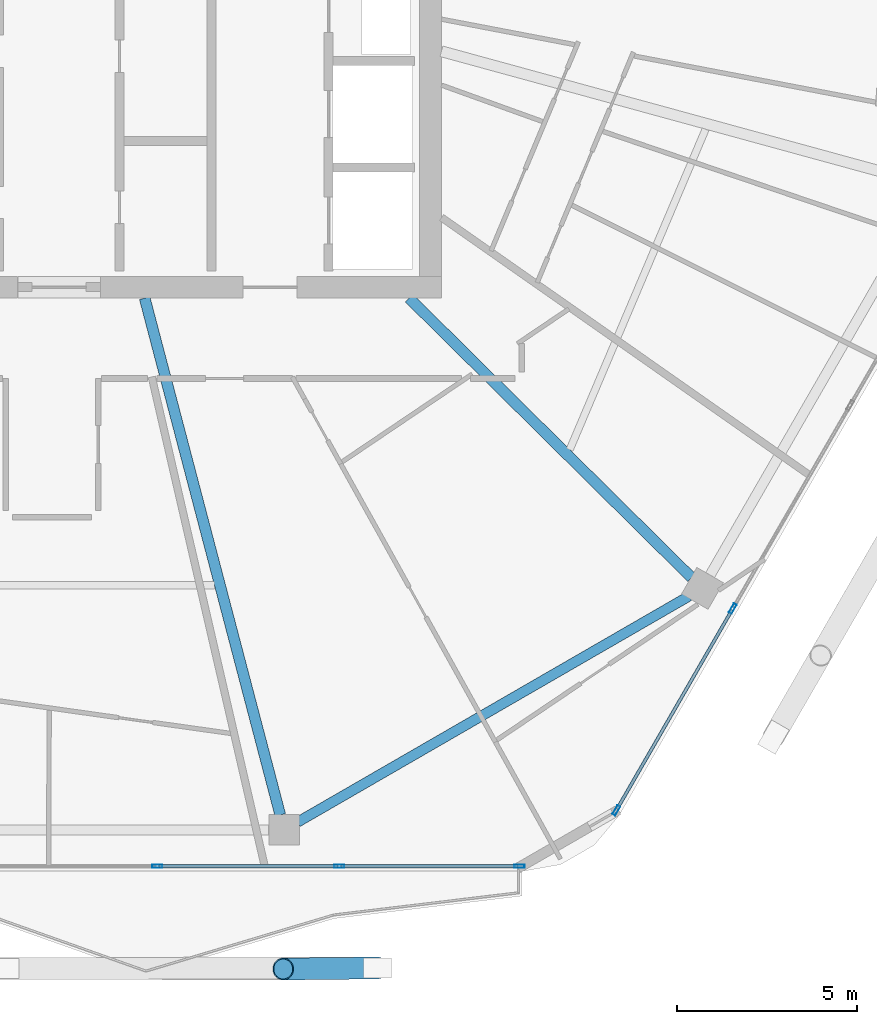
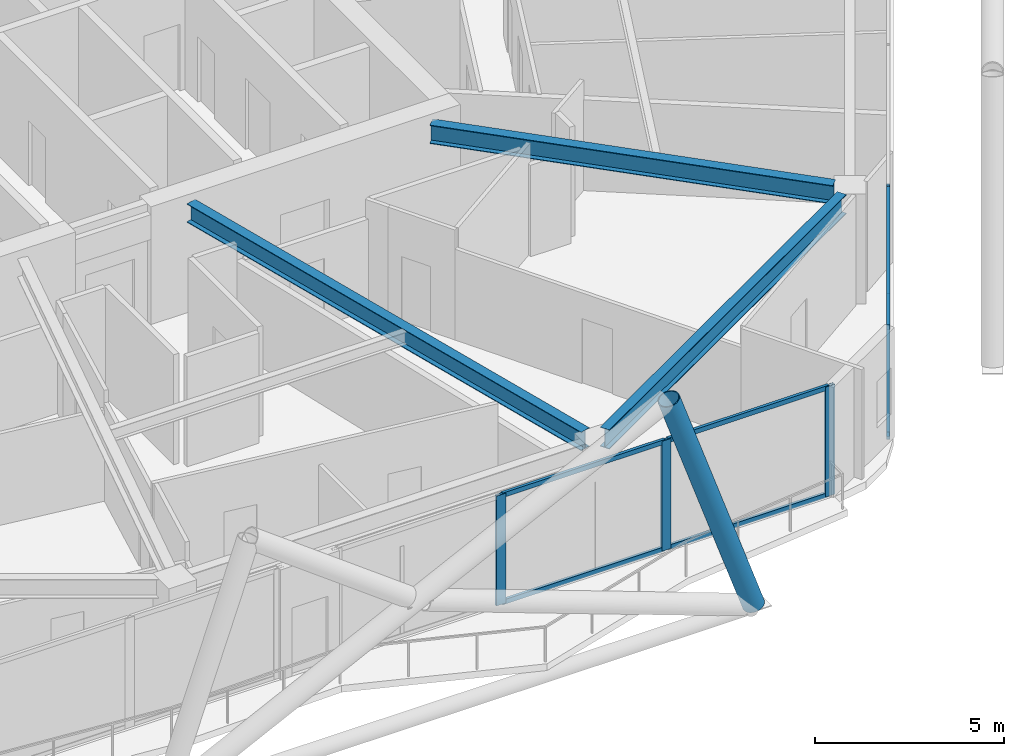
# One storey, part 8 of 27: 12 members, 3 beams, 2 elements without a shape of their own.
"""IFC4 building model written with IfcOpenShell, lengths in metres."""

from ifc_helpers import new_model, si_unit, direction, frame, origin, origin_2d, place, context, subcontext, project, spatial, hollow_rectangle, hollow_circle, i_section, extrude, material, material_profile, profile_set, type_object, element, aggregate, save


model = new_model("IFC4")

# Units and contexts
model_context = context("Model", 3, precision=1e-05, world=origin(), true_north=direction((0.0, 1.0)))
body_context = subcontext(model_context, "Body", "Model", "MODEL_VIEW")
ifc_project = project(units=[si_unit("LENGTHUNIT", "METRE"), si_unit("AREAUNIT", "SQUARE_METRE"), si_unit("VOLUMEUNIT", "CUBIC_METRE"), si_unit("PLANEANGLEUNIT", "RADIAN"), si_unit("MASSUNIT", "GRAM", prefix="KILO")], contexts=[model_context])

# Site, building, storey
site_placement = place(None, origin())
site = spatial("IfcSite", under=ifc_project, at=site_placement, CompositionType="ELEMENT")
building_placement = place(site_placement, origin())
building = spatial("IfcBuilding", under=site, at=building_placement, Name="Zuhravey Tower", CompositionType="ELEMENT")
storey_placement = place(building_placement, frame((0.0, 0.0, 276.800048828125)))
storey = spatial("IfcBuildingStorey", under=building, at=storey_placement, Name="L70", CompositionType="ELEMENT", Elevation=276.800048828125)

# Curtain wall, members
ifc_material_1 = material(Name="Thermally broken anodised aluminium", Category="aluminium")
curtain_wall_type = type_object("IfcCurtainWallType", Name="Zone 3-4 High-Rise Curtain Wall CW4", PredefinedType="NOTDEFINED", material=ifc_material_1)
curtain_wall_1_placement = place(storey_placement, origin())
curtain_wall_1 = element("IfcCurtainWall", 1, at=curtain_wall_1_placement, inside=storey, type_object=curtain_wall_type, Name="L70 CW4 CW-L70-F6-1", PredefinedType="NOTDEFINED")
ifc_material_2 = material(Name="Anodised aluminium", Category="aluminium")
ifc_material_profile_1 = material_profile(ifc_material_2, hollow_rectangle(XDim=0.090087890625, YDim=0.284912109375, WallThickness=0.0048828125, at=origin_2d()), Name="ALU-RHS-90x285x5")
ifc_profile_set_1 = profile_set([ifc_material_profile_1], Name="Anodised aluminium")
member_type_1 = type_object("IfcMemberType", Name="Curtain-Wall Mullion 90x180", PredefinedType="MULLION", material=ifc_profile_set_1)
member_1_placement = place(storey_placement, frame((54.885498046875, 13.58349609375, 0.0), z_axis=(0.0, 0.0, 1.0), x_axis=(0.866024851021, -0.500000957414, 0.0)))
member_1 = element("IfcMember", 2, at=member_1_placement, type_object=member_type_1, Name="CW4 mullion 4", PredefinedType="MULLION", context=body_context, shape_type="SweptSolid", body=[
    extrude(hollow_rectangle(XDim=0.090087890625, YDim=0.284912109375, WallThickness=0.0048828125, at=origin_2d()), origin(), (0.0, 0.0, 1.0), 3.550048828125),
])
member_2_placement = place(storey_placement, frame((51.65478515625, 7.98779296875, 0.0), z_axis=(0.0, 0.0, 1.0), x_axis=(0.866024851021, -0.500000957414, 0.0)))
member_2 = element("IfcMember", 3, at=member_2_placement, type_object=member_type_1, Name="CW4 mullion 5", PredefinedType="MULLION", context=body_context, shape_type="SweptSolid", body=[
    extrude(hollow_rectangle(XDim=0.090087890625, YDim=0.284912109375, WallThickness=0.0048828125, at=origin_2d()), origin(), (0.0, 0.0, 1.0), 3.550048828125),
])

curtain_wall_2_placement = place(storey_placement, origin())
curtain_wall_2 = element("IfcCurtainWall", 4, at=curtain_wall_2_placement, inside=storey, type_object=curtain_wall_type, Name="L70 CW4 CW-L70-F5-1", PredefinedType="NOTDEFINED")
member_3_placement = place(storey_placement, frame((48.9677734375, 6.436279296875, 0.0), z_axis=(0.0, 0.0, 1.0), x_axis=(0.0, -1.0, 0.0)))
member_3 = element("IfcMember", 5, at=member_3_placement, type_object=member_type_1, Name="CW4 mullion 1", PredefinedType="MULLION", context=body_context, shape_type="SweptSolid", body=[
    extrude(hollow_rectangle(XDim=0.090087890625, YDim=0.284912109375, WallThickness=0.0048828125, at=origin_2d()), origin(), (0.0, 0.0, 1.0), 3.550048828125),
])
member_4_placement = place(storey_placement, frame((43.96630859375, 6.436279296875, 0.0), z_axis=(0.0, 0.0, 1.0), x_axis=(0.0, -1.0, 0.0)))
member_4 = element("IfcMember", 6, at=member_4_placement, type_object=member_type_1, Name="CW4 mullion 2", PredefinedType="MULLION", context=body_context, shape_type="SweptSolid", body=[
    extrude(hollow_rectangle(XDim=0.090087890625, YDim=0.284912109375, WallThickness=0.0048828125, at=origin_2d()), origin(), (0.0, 0.0, 1.0), 3.550048828125),
])
member_5_placement = place(storey_placement, frame((38.919921875, 6.436279296875, 0.0), z_axis=(0.0, 0.0, 1.0), x_axis=(0.0, -1.0, 0.0)))
member_5 = element("IfcMember", 7, at=member_5_placement, type_object=member_type_1, Name="CW4 mullion 3", PredefinedType="MULLION", context=body_context, shape_type="SweptSolid", body=[
    extrude(hollow_rectangle(XDim=0.090087890625, YDim=0.284912109375, WallThickness=0.0048828125, at=origin_2d()), origin(), (0.0, 0.0, 1.0), 3.550048828125),
])

# Member
ifc_material_profile_2 = material_profile(ifc_material_2, hollow_rectangle(XDim=0.090087890625, YDim=0.14990234375, WallThickness=0.0048828125, at=origin_2d()), Name="ALU-RHS-90x150x5")
ifc_profile_set_2 = profile_set([ifc_material_profile_2], Name="Anodised aluminium")
member_type_2 = type_object("IfcMemberType", Name="Curtain-Wall Transom 90x150", PredefinedType="USERDEFINED", material=ifc_profile_set_2)
member_6_placement = place(storey_placement, frame((54.863037109375, 13.544677734375, 0.044921875), z_axis=(-0.499980071345, -0.866036909293, 0.0), x_axis=(0.866036909293, -0.499980071345, 0.0)))
member_6 = element("IfcMember", 8, at=member_6_placement, type_object=member_type_2, Name="CW4 transom 4.1", ObjectType="TRANSOM", PredefinedType="USERDEFINED", context=body_context, shape_type="SweptSolid", body=[
    extrude(hollow_rectangle(XDim=0.090087890625, YDim=0.14990234375, WallThickness=0.0048828125, at=origin_2d()), origin(), (0.0, 0.0, 1.0), 6.371337890625),
])

member_7_placement = place(storey_placement, frame((54.863037109375, 13.544677734375, 3.5048828125), z_axis=(-0.499980071345, -0.866036909293, 0.0), x_axis=(0.866036909293, -0.499980071345, 0.0)))
member_7 = element("IfcMember", 9, at=member_7_placement, type_object=member_type_2, Name="CW4 transom 4.2", ObjectType="TRANSOM", PredefinedType="USERDEFINED", context=body_context, shape_type="SweptSolid", body=[
    extrude(hollow_rectangle(XDim=0.090087890625, YDim=0.14990234375, WallThickness=0.0048828125, at=origin_2d()), origin(), (0.0, 0.0, 1.0), 6.371337890625),
])

aggregate(curtain_wall_1, [member_1, member_2, member_6, member_7])

member_8_placement = place(storey_placement, frame((48.922607421875, 6.436279296875, 0.044921875), z_axis=(-1.0, 0.0, 0.0), x_axis=(0.0, -1.0, 0.0)))
member_8 = element("IfcMember", 10, at=member_8_placement, type_object=member_type_2, Name="CW4 transom 1.1", ObjectType="TRANSOM", PredefinedType="USERDEFINED", context=body_context, shape_type="SweptSolid", body=[
    extrude(hollow_rectangle(XDim=0.090087890625, YDim=0.14990234375, WallThickness=0.0048828125, at=origin_2d()), origin(), (0.0, 0.0, 1.0), 4.9111328125),
])

member_9_placement = place(storey_placement, frame((48.922607421875, 6.436279296875, 3.5048828125), z_axis=(-1.0, 0.0, 0.0), x_axis=(0.0, -1.0, 0.0)))
member_9 = element("IfcMember", 11, at=member_9_placement, type_object=member_type_2, Name="CW4 transom 1.2", ObjectType="TRANSOM", PredefinedType="USERDEFINED", context=body_context, shape_type="SweptSolid", body=[
    extrude(hollow_rectangle(XDim=0.090087890625, YDim=0.14990234375, WallThickness=0.0048828125, at=origin_2d()), origin(), (0.0, 0.0, 1.0), 4.9111328125),
])

member_10_placement = place(storey_placement, frame((43.92138671875, 6.436279296875, 0.044921875), z_axis=(-1.0, 0.0, 0.0), x_axis=(0.0, -1.0, 0.0)))
member_10 = element("IfcMember", 12, at=member_10_placement, type_object=member_type_2, Name="CW4 transom 2.1", ObjectType="TRANSOM", PredefinedType="USERDEFINED", context=body_context, shape_type="SweptSolid", body=[
    extrude(hollow_rectangle(XDim=0.090087890625, YDim=0.14990234375, WallThickness=0.0048828125, at=origin_2d()), origin(), (0.0, 0.0, 1.0), 4.956298828125),
])

member_11_placement = place(storey_placement, frame((43.92138671875, 6.436279296875, 3.5048828125), z_axis=(-1.0, 0.0, 0.0), x_axis=(0.0, -1.0, 0.0)))
member_11 = element("IfcMember", 13, at=member_11_placement, type_object=member_type_2, Name="CW4 transom 2.2", ObjectType="TRANSOM", PredefinedType="USERDEFINED", context=body_context, shape_type="SweptSolid", body=[
    extrude(hollow_rectangle(XDim=0.090087890625, YDim=0.14990234375, WallThickness=0.0048828125, at=origin_2d()), origin(), (0.0, 0.0, 1.0), 4.956298828125),
])

aggregate(curtain_wall_2, [member_3, member_4, member_5, member_8, member_9, member_10, member_11])

ifc_material_3 = material(Name="Steel SM355", Category="steel")
ifc_material_profile_3 = material_profile(ifc_material_3, hollow_circle(Radius=0.3046875, WallThickness=0.028076171875, at=origin_2d()), Name="CHS-609.6x28")
ifc_profile_set_3 = profile_set([ifc_material_profile_3], Name="Steel SM355")
member_type_3 = type_object("IfcMemberType", Name="Exoskeleton Zone 3 Diagrid CHS610x28", PredefinedType="BRACE", material=ifc_profile_set_3)
member_12_placement = place(storey_placement, frame((45.022705078125, 3.6162109375, -0.446044921875), z_axis=(-0.326058009418, -0.003722541376, 0.94534243382), x_axis=(0.011416063057, -0.999934834629, 0.0)))
element("IfcMember", 14, at=member_12_placement, inside=storey, type_object=member_type_3, Name="L70 Face 5 Diagrid Brace 4", PredefinedType="BRACE", context=body_context, shape_type="SweptSolid", body=[
    extrude(hollow_circle(Radius=0.3046875, WallThickness=0.028076171875, at=origin_2d()), origin(), (0.0, 0.0, 1.0), 8.001220703125),
])

# Beams
ifc_material_profile_4 = material_profile(ifc_material_3, i_section(OverallWidth=0.280029296875, OverallDepth=0.6201171875, WebThickness=0.011962890625, FlangeThickness=0.02001953125, at=origin_2d()), Name="H-620x280x12x20")
ifc_profile_set_4 = profile_set([ifc_material_profile_4], Name="Steel SM355")
beam_type_1 = type_object("IfcBeamType", Name="Perimeter Ring Beam H620x280", PredefinedType="BEAM", material=ifc_profile_set_4)
beam_1_placement = place(storey_placement, frame((42.8115234375, 7.660400390625, 3.239990234375), z_axis=(0.866018312875, 0.500012281615, 0.0), x_axis=(-0.500012281615, 0.866018312875, 0.0)))
element("IfcBeam", 15, at=beam_1_placement, inside=storey, type_object=beam_type_1, Name="L70 PB3 BM-L70-PB-10", PredefinedType="BEAM", context=body_context, shape_type="SweptSolid", body=[
    extrude(i_section(OverallWidth=0.280029296875, OverallDepth=0.6201171875, WebThickness=0.011962890625, FlangeThickness=0.02001953125, at=origin_2d()), origin(), (0.0, 0.0, 1.0), 12.541748046875),
])
ifc_material_profile_5 = material_profile(ifc_material_3, i_section(OverallWidth=0.300048828125, OverallDepth=0.60009765625, WebThickness=0.011962890625, FlangeThickness=0.02001953125, at=origin_2d()), Name="H-600x300x12x20")
ifc_profile_set_5 = profile_set([ifc_material_profile_5], Name="Steel SM355")
beam_type_2 = type_object("IfcBeamType", Name="Radial Primary Girder H600x300", PredefinedType="BEAM", material=ifc_profile_set_5)
beam_2_placement = place(storey_placement, frame((38.571533203125, 22.197021484375, 3.25), z_axis=(0.25373188956, -0.967274587809, 0.0), x_axis=(0.967274587809, 0.25373188956, 0.0)))
element("IfcBeam", 16, at=beam_2_placement, inside=storey, type_object=beam_type_2, Name="L70 RG3 BM-L70-RAD-10", PredefinedType="BEAM", context=body_context, shape_type="SweptSolid", body=[
    extrude(i_section(OverallWidth=0.300048828125, OverallDepth=0.60009765625, WebThickness=0.011962890625, FlangeThickness=0.02001953125, at=origin_2d()), origin(), (0.0, 0.0, 1.0), 14.82177734375),
])
beam_3_placement = place(storey_placement, frame((45.90673828125, 22.197021484375, 3.25), z_axis=(0.710808169267, -0.70338591577, 0.0), x_axis=(0.70338591577, 0.710808169267, 0.0)))
element("IfcBeam", 17, at=beam_3_placement, inside=storey, type_object=beam_type_2, Name="L70 RG3 BM-L70-RAD-11", PredefinedType="BEAM", context=body_context, shape_type="SweptSolid", body=[
    extrude(i_section(OverallWidth=0.300048828125, OverallDepth=0.60009765625, WebThickness=0.011962890625, FlangeThickness=0.02001953125, at=origin_2d()), origin(), (0.0, 0.0, 1.0), 11.019287109375),
])

save(model, "model.ifc")
